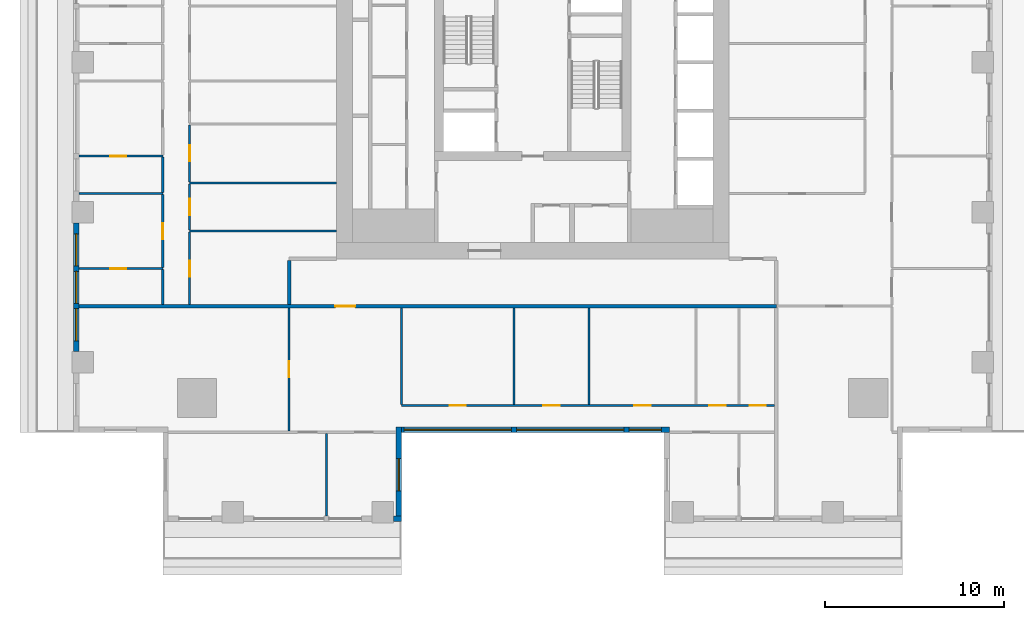
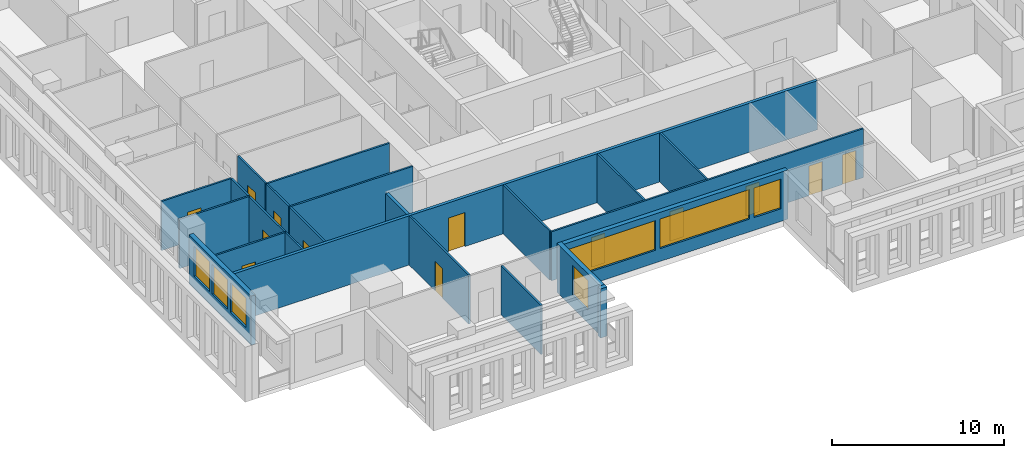
# One storey, part 2 of 15: 23 walls, 13 doors, 7 windows, 20 openings.
"""IFC4 building model written with IfcOpenShell, lengths in metres."""

from ifc_helpers import new_model, si_unit, direction, frame, frame_2d, origin, place, context, subcontext, project, spatial, rectangle, extrude, material, layer, layer_set, type_object, element, fill, save


model = new_model("IFC4")

# Units and contexts
model_context = context("Model", 3, precision=1e-05, world=origin(), true_north=direction((0.0, 1.0)))
body_context = subcontext(model_context, "Body", "Model", "MODEL_VIEW")
ifc_project = project(units=[si_unit("LENGTHUNIT", "METRE"), si_unit("AREAUNIT", "SQUARE_METRE"), si_unit("VOLUMEUNIT", "CUBIC_METRE"), si_unit("PLANEANGLEUNIT", "RADIAN"), si_unit("MASSUNIT", "GRAM", prefix="KILO")], contexts=[model_context])

# Site, building, storey
site_placement = place(None, origin())
site = spatial("IfcSite", under=ifc_project, at=site_placement, CompositionType="ELEMENT")
building_placement = place(site_placement, origin())
building = spatial("IfcBuilding", under=site, at=building_placement, Name="Khepri Terraces", CompositionType="ELEMENT")
storey_placement = place(building_placement, frame((0.0, 0.0, 260.10009765625)))
storey = spatial("IfcBuildingStorey", under=building, at=storey_placement, Name="L62", CompositionType="ELEMENT", Elevation=260.10009765625)

# Wall, opening, door
ifc_material_1 = material(Name="Fire-rated gypsum plasterboard partition, mineral wool")
ifc_layer_1 = layer(ifc_material_1, 0.199951171875, Name="Fire-rated gypsum plasterboard partition, mineral wool")
ifc_layer_set_1 = layer_set([ifc_layer_1], Name="Fire-rated gypsum plasterboard partition, mineral wool")
wall_type_1 = type_object("IfcWallType", Name="WL-CORR-200", PredefinedType="PARTITIONING", material=ifc_layer_set_1)
wall_1_placement = place(storey_placement, frame((-25.419921875, -13.64990234375, 0.0), z_axis=(0.0, 0.0, 1.0), x_axis=(1.0, 0.0, 0.0)))
wall_1 = element("IfcWall", 1, at=wall_1_placement, inside=storey, type_object=wall_type_1, Name="Partition P-015 L62", PredefinedType="PARTITIONING", context=body_context, shape_type="SweptSolid", body=[
    extrude(rectangle(XDim=39.06982421875, YDim=0.199951171875, at=frame_2d((19.534912109375, 0.0))), origin(), (0.0, 0.0, 1.0), 3.47998046875),
])
opening_1_placement = place(wall_1_placement, frame((14.3701171875, 0.0, 0.0)))
opening_1 = element("IfcOpeningElement", 2, at=opening_1_placement, cuts=wall_1, Name="Opening D1", PredefinedType="OPENING", context=body_context, shape_type="SweptSolid", body=[
    extrude(rectangle(XDim=1.10009765625, YDim=2.39990234375, at=frame_2d((0.550048828125, 1.199951171875))), frame((0.0, 0.10986328125, 0.0), z_axis=(0.0, -1.0, 0.0), x_axis=(1.0, 0.0, 0.0)), (0.0, 0.0, 1.0), 0.219970703125),
])
ifc_material_2 = material(Name="Solid-core timber door leaf, flat entrance door", Category="wood")
door_type_1 = type_object("IfcDoorType", Name="DR-ENT-1100", OperationType="NOTDEFINED", PredefinedType="DOOR", material=ifc_material_2)
door_1_placement = place(opening_1_placement, frame((1.10009765625, 0.0, 0.0), z_axis=(0.0, 0.0, 1.0), x_axis=(-1.0, 0.0, 0.0)))
door_1 = element("IfcDoor", 3, at=door_1_placement, inside=storey, type_object=door_type_1, Name="Flat A1 entrance door", OperationType="SINGLE_SWING_RIGHT", OverallHeight=2.39990234375, OverallWidth=1.10009765625, PredefinedType="DOOR", context=body_context, shape_type="SweptSolid", body=[
    extrude(rectangle(XDim=1.10009765625, YDim=2.39990234375, at=frame_2d((0.550048828125, 1.199951171875))), frame((0.0, 0.02490234375, 0.0), z_axis=(0.0, -1.0, 0.0), x_axis=(1.0, 0.0, 0.0)), (0.0, 0.0, 1.0), 0.050048828125),
])
fill(opening_1, door_1)

# Wall
wall_2_placement = place(storey_placement, frame((-13.64990234375, -13.550048828125, 0.0), z_axis=(0.0, 0.0, 1.0), x_axis=(0.0, 1.0, 0.0)))
element("IfcWall", 4, at=wall_2_placement, inside=storey, type_object=wall_type_1, Name="Partition P-020 L62", PredefinedType="PARTITIONING", context=body_context, shape_type="SweptSolid", body=[
    extrude(rectangle(XDim=2.449951171875, YDim=0.199951171875, at=frame_2d((1.22509765625, 0.0))), origin(), (0.0, 0.0, 1.0), 3.47998046875),
])

# Wall, openings, windows
ifc_material_3 = material(Name="Precast concrete C50/60 warm stone", Category="masonry")
ifc_layer_2 = layer(ifc_material_3, 0.300048828125, Name="Precast concrete C50/60 warm stone", Category="masonry")
ifc_layer_set_2 = layer_set([ifc_layer_2], Name="Precast concrete C50/60 warm stone")
wall_type_2 = type_object("IfcWallType", Name="WL-EXT-PRECAST-300", PredefinedType="STANDARD", material=ifc_layer_set_2)
wall_3_placement = place(storey_placement, frame((-25.570068359375, -9.0, 0.0), z_axis=(0.0, 0.0, 1.0), x_axis=(0.0, -1.0, 0.0)))
wall_3 = element("IfcWall", 5, at=wall_3_placement, inside=storey, type_object=wall_type_2, Name="External wall L62 W", PredefinedType="STANDARD", context=body_context, shape_type="SweptSolid", body=[
    extrude(rectangle(XDim=7.199951171875, YDim=0.300048828125, at=frame_2d((3.60009765625, 0.0))), origin(), (0.0, 0.0, 1.0), 3.47998046875),
])
opening_2_placement = place(wall_3_placement, frame((0.60009765625, 0.0, 0.89990234375)))
opening_2 = element("IfcOpeningElement", 6, at=opening_2_placement, cuts=wall_3, Name="Opening W1", PredefinedType="OPENING", context=body_context, shape_type="SweptSolid", body=[
    extrude(rectangle(XDim=1.800048828125, YDim=2.10009765625, at=frame_2d((0.89990234375, 1.050048828125))), frame((0.0, 0.16015625, 0.0), z_axis=(0.0, -1.0, 0.0), x_axis=(1.0, 0.0, 0.0)), (0.0, 0.0, 1.0), 0.320068359375),
])
opening_3_placement = place(wall_3_placement, frame((2.699951171875, 0.0, 0.89990234375)))
opening_3 = element("IfcOpeningElement", 7, at=opening_3_placement, cuts=wall_3, Name="Opening W1", PredefinedType="OPENING", context=body_context, shape_type="SweptSolid", body=[
    extrude(rectangle(XDim=1.800048828125, YDim=2.10009765625, at=frame_2d((0.89990234375, 1.050048828125))), frame((0.0, 0.16015625, 0.0), z_axis=(0.0, -1.0, 0.0), x_axis=(1.0, 0.0, 0.0)), (0.0, 0.0, 1.0), 0.320068359375),
])
opening_4_placement = place(wall_3_placement, frame((4.800048828125, 0.0, 0.89990234375)))
opening_4 = element("IfcOpeningElement", 8, at=opening_4_placement, cuts=wall_3, Name="Opening W1", PredefinedType="OPENING", context=body_context, shape_type="SweptSolid", body=[
    extrude(rectangle(XDim=1.800048828125, YDim=2.10009765625, at=frame_2d((0.89990234375, 1.050048828125))), frame((0.0, 0.16015625, 0.0), z_axis=(0.0, -1.0, 0.0), x_axis=(1.0, 0.0, 0.0)), (0.0, 0.0, 1.0), 0.320068359375),
])
ifc_material_4 = material(Name="Clear glass", Category="glass")
window_type_1 = type_object("IfcWindowType", Name="WIN-RES-1800x2100", PartitioningType="SINGLE_PANEL", PredefinedType="WINDOW", material=ifc_material_4)
window_1_placement = place(opening_2_placement, origin())
window_1 = element("IfcWindow", 9, at=window_1_placement, inside=storey, type_object=window_type_1, Name="Window L62 W", OverallHeight=2.10009765625, OverallWidth=1.800048828125, PartitioningType="SINGLE_PANEL", PredefinedType="WINDOW", context=body_context, shape_type="SweptSolid", body=[
    extrude(rectangle(XDim=1.800048828125, YDim=2.10009765625, at=frame_2d((0.89990234375, 1.050048828125))), frame((0.0, 0.030029296875, 0.0), z_axis=(0.0, -1.0, 0.0), x_axis=(1.0, 0.0, 0.0)), (0.0, 0.0, 1.0), 0.06005859375),
])
fill(opening_2, window_1)
window_2_placement = place(opening_3_placement, origin())
window_2 = element("IfcWindow", 10, at=window_2_placement, inside=storey, type_object=window_type_1, Name="Window L62 W", OverallHeight=2.10009765625, OverallWidth=1.800048828125, PartitioningType="SINGLE_PANEL", PredefinedType="WINDOW", context=body_context, shape_type="SweptSolid", body=[
    extrude(rectangle(XDim=1.800048828125, YDim=2.10009765625, at=frame_2d((0.89990234375, 1.050048828125))), frame((0.0, 0.030029296875, 0.0), z_axis=(0.0, -1.0, 0.0), x_axis=(1.0, 0.0, 0.0)), (0.0, 0.0, 1.0), 0.06005859375),
])
fill(opening_3, window_2)
window_3_placement = place(opening_4_placement, origin())
window_3 = element("IfcWindow", 11, at=window_3_placement, inside=storey, type_object=window_type_1, Name="Window L62 W", OverallHeight=2.10009765625, OverallWidth=1.800048828125, PartitioningType="SINGLE_PANEL", PredefinedType="WINDOW", context=body_context, shape_type="SweptSolid", body=[
    extrude(rectangle(XDim=1.800048828125, YDim=2.10009765625, at=frame_2d((0.89990234375, 1.050048828125))), frame((0.0, 0.030029296875, 0.0), z_axis=(0.0, -1.0, 0.0), x_axis=(1.0, 0.0, 0.0)), (0.0, 0.0, 1.0), 0.06005859375),
])
fill(opening_4, window_3)

# Wall
wall_4_placement = place(storey_placement, frame((-7.800048828125, -25.570068359375, 0.0), z_axis=(0.0, 0.0, 1.0), x_axis=(1.0, 0.0, 0.0)))
element("IfcWall", 12, at=wall_4_placement, inside=storey, type_object=wall_type_2, Name="External wall L62 S", PredefinedType="STANDARD", context=body_context, shape_type="SweptSolid", body=[
    extrude(rectangle(XDim=0.449951171875, YDim=0.300048828125, at=frame_2d((0.22509765625, 0.0))), origin(), (0.0, 0.0, 1.0), 3.47998046875),
])

# Wall, opening, window
wall_5_placement = place(storey_placement, frame((-7.5, -25.419921875, 0.0), z_axis=(0.0, 0.0, 1.0), x_axis=(0.0, 1.0, 0.0)))
wall_5 = element("IfcWall", 13, at=wall_5_placement, inside=storey, type_object=wall_type_2, Name="External wall L62 E", PredefinedType="STANDARD", context=body_context, shape_type="SweptSolid", body=[
    extrude(rectangle(XDim=5.0, YDim=0.300048828125, at=frame_2d((2.5, 0.0))), origin(), (0.0, 0.0, 1.0), 3.47998046875),
])
opening_5_placement = place(wall_5_placement, frame((1.419921875, 0.0, 0.89990234375)))
opening_5 = element("IfcOpeningElement", 14, at=opening_5_placement, cuts=wall_5, Name="Opening W1", PredefinedType="OPENING", context=body_context, shape_type="SweptSolid", body=[
    extrude(rectangle(XDim=1.800048828125, YDim=2.10009765625, at=frame_2d((0.89990234375, 1.050048828125))), frame((0.0, 0.16015625, 0.0), z_axis=(0.0, -1.0, 0.0), x_axis=(1.0, 0.0, 0.0)), (0.0, 0.0, 1.0), 0.320068359375),
])
window_4_placement = place(opening_5_placement, origin())
window_4 = element("IfcWindow", 15, at=window_4_placement, inside=storey, type_object=window_type_1, Name="Window L62 E", OverallHeight=2.10009765625, OverallWidth=1.800048828125, PartitioningType="SINGLE_PANEL", PredefinedType="WINDOW", context=body_context, shape_type="SweptSolid", body=[
    extrude(rectangle(XDim=1.800048828125, YDim=2.10009765625, at=frame_2d((0.89990234375, 1.050048828125))), frame((0.0, 0.030029296875, 0.0), z_axis=(0.0, -1.0, 0.0), x_axis=(1.0, 0.0, 0.0)), (0.0, 0.0, 1.0), 0.06005859375),
])
fill(opening_5, window_4)

# Wall, openings, windows
wall_6_placement = place(storey_placement, frame((-7.35009765625, -20.570068359375, 0.0), z_axis=(0.0, 0.0, 1.0), x_axis=(1.0, 0.0, 0.0)))
wall_6 = element("IfcWall", 16, at=wall_6_placement, inside=storey, type_object=wall_type_2, Name="External wall L62 S", PredefinedType="STANDARD", context=body_context, shape_type="SweptSolid", body=[
    extrude(rectangle(XDim=15.0, YDim=0.300048828125, at=frame_2d((7.5, 0.0))), origin(), (0.0, 0.0, 1.0), 3.47998046875),
])
opening_6_placement = place(wall_6_placement, frame((0.14990234375, 0.0, 0.89990234375)))
opening_6 = element("IfcOpeningElement", 17, at=opening_6_placement, cuts=wall_6, Name="Opening W3", PredefinedType="OPENING", context=body_context, shape_type="SweptSolid", body=[
    extrude(rectangle(XDim=6.0, YDim=2.10009765625, at=frame_2d((3.0, 1.050048828125))), frame((0.0, 0.16015625, 0.0), z_axis=(0.0, -1.0, 0.0), x_axis=(1.0, 0.0, 0.0)), (0.0, 0.0, 1.0), 0.320068359375),
])
opening_7_placement = place(wall_6_placement, frame((6.449951171875, 0.0, 0.89990234375)))
opening_7 = element("IfcOpeningElement", 18, at=opening_7_placement, cuts=wall_6, Name="Opening W3", PredefinedType="OPENING", context=body_context, shape_type="SweptSolid", body=[
    extrude(rectangle(XDim=6.0, YDim=2.10009765625, at=frame_2d((3.0, 1.050048828125))), frame((0.0, 0.16015625, 0.0), z_axis=(0.0, -1.0, 0.0), x_axis=(1.0, 0.0, 0.0)), (0.0, 0.0, 1.0), 0.320068359375),
])
opening_8_placement = place(wall_6_placement, frame((12.75, 0.0, 0.89990234375)))
opening_8 = element("IfcOpeningElement", 19, at=opening_8_placement, cuts=wall_6, Name="Opening W1", PredefinedType="OPENING", context=body_context, shape_type="SweptSolid", body=[
    extrude(rectangle(XDim=1.800048828125, YDim=2.10009765625, at=frame_2d((0.89990234375, 1.050048828125))), frame((0.0, 0.16015625, 0.0), z_axis=(0.0, -1.0, 0.0), x_axis=(1.0, 0.0, 0.0)), (0.0, 0.0, 1.0), 0.320068359375),
])
window_5_placement = place(opening_8_placement, origin())
window_5 = element("IfcWindow", 20, at=window_5_placement, inside=storey, type_object=window_type_1, Name="Window L62 S", OverallHeight=2.10009765625, OverallWidth=1.800048828125, PartitioningType="SINGLE_PANEL", PredefinedType="WINDOW", context=body_context, shape_type="SweptSolid", body=[
    extrude(rectangle(XDim=1.800048828125, YDim=2.10009765625, at=frame_2d((0.89990234375, 1.050048828125))), frame((0.0, 0.030029296875, 0.0), z_axis=(0.0, -1.0, 0.0), x_axis=(1.0, 0.0, 0.0)), (0.0, 0.0, 1.0), 0.06005859375),
])
fill(opening_8, window_5)
window_type_2 = type_object("IfcWindowType", Name="WIN-RES-6000x2100", PartitioningType="SINGLE_PANEL", PredefinedType="WINDOW", material=ifc_material_4)
window_6_placement = place(opening_6_placement, origin())
window_6 = element("IfcWindow", 21, at=window_6_placement, inside=storey, type_object=window_type_2, Name="Window L62 S", OverallHeight=2.10009765625, OverallWidth=6.0, PartitioningType="SINGLE_PANEL", PredefinedType="WINDOW", context=body_context, shape_type="SweptSolid", body=[
    extrude(rectangle(XDim=6.0, YDim=2.10009765625, at=frame_2d((3.0, 1.050048828125))), frame((0.0, 0.030029296875, 0.0), z_axis=(0.0, -1.0, 0.0), x_axis=(1.0, 0.0, 0.0)), (0.0, 0.0, 1.0), 0.06005859375),
])
fill(opening_6, window_6)
window_7_placement = place(opening_7_placement, origin())
window_7 = element("IfcWindow", 22, at=window_7_placement, inside=storey, type_object=window_type_2, Name="Window L62 S", OverallHeight=2.10009765625, OverallWidth=6.0, PartitioningType="SINGLE_PANEL", PredefinedType="WINDOW", context=body_context, shape_type="SweptSolid", body=[
    extrude(rectangle(XDim=6.0, YDim=2.10009765625, at=frame_2d((3.0, 1.050048828125))), frame((0.0, 0.030029296875, 0.0), z_axis=(0.0, -1.0, 0.0), x_axis=(1.0, 0.0, 0.0)), (0.0, 0.0, 1.0), 0.06005859375),
])
fill(opening_7, window_7)

# Wall
ifc_material_5 = material(Name="Gypsum plasterboard partition")
ifc_layer_3 = layer(ifc_material_5, 0.1201171875, Name="Gypsum plasterboard partition")
ifc_layer_set_3 = layer_set([ifc_layer_3], Name="Gypsum plasterboard partition")
wall_type_3 = type_object("IfcWallType", Name="WL-PART-120", PredefinedType="PARTITIONING", material=ifc_layer_set_3)
wall_7_placement = place(storey_placement, frame((-11.550048828125, -25.419921875, 0.0), z_axis=(0.0, 0.0, 1.0), x_axis=(0.0, 1.0, 0.0)))
element("IfcWall", 23, at=wall_7_placement, inside=storey, type_object=wall_type_3, Name="Partition P-001 L62", PredefinedType="PARTITIONING", context=body_context, shape_type="SweptSolid", body=[
    extrude(rectangle(XDim=4.639892578125, YDim=0.1201171875, at=frame_2d((2.31982421875, 0.0))), origin(), (0.0, 0.0, 1.0), 3.47998046875),
])

# Wall, opening, door
wall_8_placement = place(storey_placement, frame((-13.64990234375, -20.659912109375, 0.0), z_axis=(0.0, 0.0, 1.0), x_axis=(0.0, 1.0, 0.0)))
wall_8 = element("IfcWall", 24, at=wall_8_placement, inside=storey, type_object=wall_type_3, Name="Partition P-007 L62", PredefinedType="PARTITIONING", context=body_context, shape_type="SweptSolid", body=[
    extrude(rectangle(XDim=6.909912109375, YDim=0.1201171875, at=frame_2d((3.455078125, 0.0))), origin(), (0.0, 0.0, 1.0), 3.47998046875),
])
opening_9_placement = place(wall_8_placement, frame((3.02490234375, 0.0, 0.0)))
opening_9 = element("IfcOpeningElement", 25, at=opening_9_placement, cuts=wall_8, Name="Opening D3", PredefinedType="OPENING", context=body_context, shape_type="SweptSolid", body=[
    extrude(rectangle(XDim=0.89990234375, YDim=2.10009765625, at=frame_2d((0.449951171875, 1.050048828125))), frame((0.0, 0.070068359375, 0.0), z_axis=(0.0, -1.0, 0.0), x_axis=(1.0, 0.0, 0.0)), (0.0, 0.0, 1.0), 0.14013671875),
])
ifc_material_6 = material(Name="Timber door leaf", Category="wood")
door_type_2 = type_object("IfcDoorType", Name="DR-INT-900", OperationType="NOTDEFINED", PredefinedType="DOOR", material=ifc_material_6)
door_2_placement = place(opening_9_placement, origin())
door_2 = element("IfcDoor", 26, at=door_2_placement, inside=storey, type_object=door_type_2, Name="Door Home Gym", OperationType="SINGLE_SWING_RIGHT", OverallHeight=2.10009765625, OverallWidth=0.89990234375, PredefinedType="DOOR", context=body_context, shape_type="SweptSolid", body=[
    extrude(rectangle(XDim=0.89990234375, YDim=2.10009765625, at=frame_2d((0.449951171875, 1.050048828125))), frame((0.0, 0.02490234375, 0.0), z_axis=(0.0, -1.0, 0.0), x_axis=(1.0, 0.0, 0.0)), (0.0, 0.0, 1.0), 0.050048828125),
])
fill(opening_9, door_2)

# Wall, openings, doors
wall_9_placement = place(storey_placement, frame((-7.35009765625, -19.219970703125, 0.0), z_axis=(0.0, 0.0, 1.0), x_axis=(1.0, 0.0, 0.0)))
wall_9 = element("IfcWall", 27, at=wall_9_placement, inside=storey, type_object=wall_type_3, Name="Partition P-009 L62", PredefinedType="PARTITIONING", context=body_context, shape_type="SweptSolid", body=[
    extrude(rectangle(XDim=20.900146484375, YDim=0.1201171875, at=frame_2d((10.4501953125, 0.0))), origin(), (0.0, 0.0, 1.0), 3.47998046875),
])
opening_10_placement = place(wall_9_placement, frame((2.699951171875, 0.0, 0.0)))
opening_10 = element("IfcOpeningElement", 28, at=opening_10_placement, cuts=wall_9, Name="Opening D3", PredefinedType="OPENING", context=body_context, shape_type="SweptSolid", body=[
    extrude(rectangle(XDim=0.89990234375, YDim=2.10009765625, at=frame_2d((0.449951171875, 1.050048828125))), frame((0.0, 0.070068359375, 0.0), z_axis=(0.0, -1.0, 0.0), x_axis=(1.0, 0.0, 0.0)), (0.0, 0.0, 1.0), 0.14013671875),
])
opening_11_placement = place(wall_9_placement, frame((7.949951171875, 0.0, 0.0)))
opening_11 = element("IfcOpeningElement", 29, at=opening_11_placement, cuts=wall_9, Name="Opening D3", PredefinedType="OPENING", context=body_context, shape_type="SweptSolid", body=[
    extrude(rectangle(XDim=0.89990234375, YDim=2.10009765625, at=frame_2d((0.449951171875, 1.050048828125))), frame((0.0, 0.070068359375, 0.0), z_axis=(0.0, -1.0, 0.0), x_axis=(1.0, 0.0, 0.0)), (0.0, 0.0, 1.0), 0.14013671875),
])
opening_12_placement = place(wall_9_placement, frame((13.050048828125, 0.0, 0.0)))
opening_12 = element("IfcOpeningElement", 30, at=opening_12_placement, cuts=wall_9, Name="Opening D3", PredefinedType="OPENING", context=body_context, shape_type="SweptSolid", body=[
    extrude(rectangle(XDim=0.89990234375, YDim=2.10009765625, at=frame_2d((0.449951171875, 1.050048828125))), frame((0.0, 0.070068359375, 0.0), z_axis=(0.0, -1.0, 0.0), x_axis=(1.0, 0.0, 0.0)), (0.0, 0.0, 1.0), 0.14013671875),
])
opening_13_placement = place(wall_9_placement, frame((17.25, 0.0, 0.0)))
opening_13 = element("IfcOpeningElement", 31, at=opening_13_placement, cuts=wall_9, Name="Opening D4", PredefinedType="OPENING", context=body_context, shape_type="SweptSolid", body=[
    extrude(rectangle(XDim=0.89990234375, YDim=2.10009765625, at=frame_2d((0.449951171875, 1.050048828125))), frame((0.0, 0.070068359375, 0.0), z_axis=(0.0, -1.0, 0.0), x_axis=(1.0, 0.0, 0.0)), (0.0, 0.0, 1.0), 0.14013671875),
])
opening_14_placement = place(wall_9_placement, frame((19.5, 0.0, 0.0)))
opening_14 = element("IfcOpeningElement", 32, at=opening_14_placement, cuts=wall_9, Name="Opening D4", PredefinedType="OPENING", context=body_context, shape_type="SweptSolid", body=[
    extrude(rectangle(XDim=0.89990234375, YDim=2.10009765625, at=frame_2d((0.449951171875, 1.050048828125))), frame((0.0, 0.070068359375, 0.0), z_axis=(0.0, -1.0, 0.0), x_axis=(1.0, 0.0, 0.0)), (0.0, 0.0, 1.0), 0.14013671875),
])
door_3_placement = place(opening_10_placement, origin())
door_3 = element("IfcDoor", 33, at=door_3_placement, inside=storey, type_object=door_type_2, Name="Door Kitchen", OperationType="SINGLE_SWING_LEFT", OverallHeight=2.10009765625, OverallWidth=0.89990234375, PredefinedType="DOOR", context=body_context, shape_type="SweptSolid", body=[
    extrude(rectangle(XDim=0.89990234375, YDim=2.10009765625, at=frame_2d((0.449951171875, 1.050048828125))), frame((0.0, 0.02490234375, 0.0), z_axis=(0.0, -1.0, 0.0), x_axis=(1.0, 0.0, 0.0)), (0.0, 0.0, 1.0), 0.050048828125),
])
fill(opening_10, door_3)
door_4_placement = place(opening_11_placement, origin())
door_4 = element("IfcDoor", 34, at=door_4_placement, inside=storey, type_object=door_type_2, Name="Door Service Kitchen", OperationType="SINGLE_SWING_LEFT", OverallHeight=2.10009765625, OverallWidth=0.89990234375, PredefinedType="DOOR", context=body_context, shape_type="SweptSolid", body=[
    extrude(rectangle(XDim=0.89990234375, YDim=2.10009765625, at=frame_2d((0.449951171875, 1.050048828125))), frame((0.0, 0.02490234375, 0.0), z_axis=(0.0, -1.0, 0.0), x_axis=(1.0, 0.0, 0.0)), (0.0, 0.0, 1.0), 0.050048828125),
])
fill(opening_11, door_4)
door_5_placement = place(opening_12_placement, origin())
door_5 = element("IfcDoor", 35, at=door_5_placement, inside=storey, type_object=door_type_2, Name="Door Staff Bedroom", OperationType="SINGLE_SWING_RIGHT", OverallHeight=2.10009765625, OverallWidth=0.89990234375, PredefinedType="DOOR", context=body_context, shape_type="SweptSolid", body=[
    extrude(rectangle(XDim=0.89990234375, YDim=2.10009765625, at=frame_2d((0.449951171875, 1.050048828125))), frame((0.0, 0.02490234375, 0.0), z_axis=(0.0, -1.0, 0.0), x_axis=(1.0, 0.0, 0.0)), (0.0, 0.0, 1.0), 0.050048828125),
])
fill(opening_12, door_5)
ifc_material_7 = material(Name="Timber door leaf, moisture resistant", Category="wood")
door_type_3 = type_object("IfcDoorType", Name="DR-WET-900", OperationType="NOTDEFINED", PredefinedType="DOOR", material=ifc_material_7)
door_6_placement = place(opening_13_placement, origin())
door_6 = element("IfcDoor", 36, at=door_6_placement, inside=storey, type_object=door_type_3, Name="Door Powder Room", OperationType="SINGLE_SWING_RIGHT", OverallHeight=2.10009765625, OverallWidth=0.89990234375, PredefinedType="DOOR", context=body_context, shape_type="SweptSolid", body=[
    extrude(rectangle(XDim=0.89990234375, YDim=2.10009765625, at=frame_2d((0.449951171875, 1.050048828125))), frame((0.0, 0.02490234375, 0.0), z_axis=(0.0, -1.0, 0.0), x_axis=(1.0, 0.0, 0.0)), (0.0, 0.0, 1.0), 0.050048828125),
])
fill(opening_13, door_6)
door_7_placement = place(opening_14_placement, origin())
door_7 = element("IfcDoor", 37, at=door_7_placement, inside=storey, type_object=door_type_3, Name="Door Guest Bathroom", OperationType="SINGLE_SWING_RIGHT", OverallHeight=2.10009765625, OverallWidth=0.89990234375, PredefinedType="DOOR", context=body_context, shape_type="SweptSolid", body=[
    extrude(rectangle(XDim=0.89990234375, YDim=2.10009765625, at=frame_2d((0.449951171875, 1.050048828125))), frame((0.0, 0.02490234375, 0.0), z_axis=(0.0, -1.0, 0.0), x_axis=(1.0, 0.0, 0.0)), (0.0, 0.0, 1.0), 0.050048828125),
])
fill(opening_14, door_7)

# Walls
for number, where, z_axis, x_axis, name in (
    (38, (-7.35009765625, -19.159912109375, 0.0), (0.0, 0.0, 1.0), (0.0, 1.0, 0.0), "Partition P-010 L62"),
    (39, (-1.050048828125, -19.159912109375, 0.0), (0.0, 0.0, 1.0), (0.0, 1.0, 0.0), "Partition P-011 L62"),
    (40, (3.14990234375, -19.159912109375, 0.0), (0.0, 0.0, 1.0), (0.0, 1.0, 0.0), "Partition P-012 L62"),
):
    element("IfcWall", number, at=place(storey_placement, frame(where, z_axis=z_axis, x_axis=x_axis)), inside=storey, type_object=wall_type_3, Name=name, PredefinedType="PARTITIONING", context=body_context, shape_type="SweptSolid", body=[
        extrude(rectangle(XDim=5.409912109375, YDim=0.1201171875, at=frame_2d((2.705078125, 0.0))), origin(), (0.0, 0.0, 1.0), 3.47998046875),
    ])
wall_10_placement = place(storey_placement, frame((-20.719970703125, -13.550048828125, 0.0), z_axis=(0.0, 0.0, 1.0), x_axis=(0.0, 1.0, 0.0)))
element("IfcWall", 41, at=wall_10_placement, inside=storey, type_object=wall_type_3, Name="Partition P-018 L62", PredefinedType="PARTITIONING", context=body_context, shape_type="SweptSolid", body=[
    extrude(rectangle(XDim=1.93994140625, YDim=0.1201171875, at=frame_2d((0.969970703125, 0.0))), origin(), (0.0, 0.0, 1.0), 3.47998046875),
])

# Wall, opening, door
wall_11_placement = place(storey_placement, frame((-19.219970703125, -13.550048828125, 0.0), z_axis=(0.0, 0.0, 1.0), x_axis=(0.0, 1.0, 0.0)))
wall_11 = element("IfcWall", 42, at=wall_11_placement, inside=storey, type_object=wall_type_3, Name="Partition P-019 L62", PredefinedType="PARTITIONING", context=body_context, shape_type="SweptSolid", body=[
    extrude(rectangle(XDim=4.0400390625, YDim=0.1201171875, at=frame_2d((2.02001953125, 0.0))), origin(), (0.0, 0.0, 1.0), 3.47998046875),
])
opening_15_placement = place(wall_11_placement, frame((1.550048828125, 0.0, 0.0)))
opening_15 = element("IfcOpeningElement", 43, at=opening_15_placement, cuts=wall_11, Name="Opening D3", PredefinedType="OPENING", context=body_context, shape_type="SweptSolid", body=[
    extrude(rectangle(XDim=0.89990234375, YDim=2.10009765625, at=frame_2d((0.449951171875, 1.050048828125))), frame((0.0, 0.070068359375, 0.0), z_axis=(0.0, -1.0, 0.0), x_axis=(1.0, 0.0, 0.0)), (0.0, 0.0, 1.0), 0.14013671875),
])
door_8_placement = place(opening_15_placement, frame((0.89990234375, 0.0, 0.0), z_axis=(0.0, 0.0, 1.0), x_axis=(-1.0, 0.0, 0.0)))
door_8 = element("IfcDoor", 44, at=door_8_placement, inside=storey, type_object=door_type_2, Name="Door Library", OperationType="SINGLE_SWING_RIGHT", OverallHeight=2.10009765625, OverallWidth=0.89990234375, PredefinedType="DOOR", context=body_context, shape_type="SweptSolid", body=[
    extrude(rectangle(XDim=0.89990234375, YDim=2.10009765625, at=frame_2d((0.449951171875, 1.050048828125))), frame((0.0, 0.02490234375, 0.0), z_axis=(0.0, -1.0, 0.0), x_axis=(1.0, 0.0, 0.0)), (0.0, 0.0, 1.0), 0.050048828125),
])
fill(opening_15, door_8)

wall_12_placement = place(storey_placement, frame((-25.419921875, -11.550048828125, 0.0), z_axis=(0.0, 0.0, 1.0), x_axis=(1.0, 0.0, 0.0)))
wall_12 = element("IfcWall", 45, at=wall_12_placement, inside=storey, type_object=wall_type_3, Name="Partition P-022 L62", PredefinedType="PARTITIONING", context=body_context, shape_type="SweptSolid", body=[
    extrude(rectangle(XDim=4.699951171875, YDim=0.1201171875, at=frame_2d((2.35009765625, 0.0))), origin(), (0.0, 0.0, 1.0), 3.47998046875),
])
opening_16_placement = place(wall_12_placement, frame((1.75, 0.0, 0.0)))
opening_16 = element("IfcOpeningElement", 46, at=opening_16_placement, cuts=wall_12, Name="Opening D4", PredefinedType="OPENING", context=body_context, shape_type="SweptSolid", body=[
    extrude(rectangle(XDim=0.89990234375, YDim=2.10009765625, at=frame_2d((0.449951171875, 1.050048828125))), frame((0.0, 0.070068359375, 0.0), z_axis=(0.0, -1.0, 0.0), x_axis=(1.0, 0.0, 0.0)), (0.0, 0.0, 1.0), 0.14013671875),
])
door_9_placement = place(opening_16_placement, frame((0.89990234375, 0.0, 0.0), z_axis=(0.0, 0.0, 1.0), x_axis=(-1.0, 0.0, 0.0)))
door_9 = element("IfcDoor", 47, at=door_9_placement, inside=storey, type_object=door_type_3, Name="Door Bathroom", OperationType="SINGLE_SWING_RIGHT", OverallHeight=2.10009765625, OverallWidth=0.89990234375, PredefinedType="DOOR", context=body_context, shape_type="SweptSolid", body=[
    extrude(rectangle(XDim=0.89990234375, YDim=2.10009765625, at=frame_2d((0.449951171875, 1.050048828125))), frame((0.0, 0.02490234375, 0.0), z_axis=(0.0, -1.0, 0.0), x_axis=(1.0, 0.0, 0.0)), (0.0, 0.0, 1.0), 0.050048828125),
])
fill(opening_16, door_9)

wall_13_placement = place(storey_placement, frame((-20.719970703125, -11.489990234375, 0.0), z_axis=(0.0, 0.0, 1.0), x_axis=(0.0, 1.0, 0.0)))
wall_13 = element("IfcWall", 48, at=wall_13_placement, inside=storey, type_object=wall_type_3, Name="Partition P-024 L62", PredefinedType="PARTITIONING", context=body_context, shape_type="SweptSolid", body=[
    extrude(rectangle(XDim=4.080078125, YDim=0.1201171875, at=frame_2d((2.0400390625, 0.0))), origin(), (0.0, 0.0, 1.0), 3.47998046875),
])
opening_17_placement = place(wall_13_placement, frame((1.590087890625, 0.0, 0.0)))
opening_17 = element("IfcOpeningElement", 49, at=opening_17_placement, cuts=wall_13, Name="Opening D3", PredefinedType="OPENING", context=body_context, shape_type="SweptSolid", body=[
    extrude(rectangle(XDim=0.89990234375, YDim=2.10009765625, at=frame_2d((0.449951171875, 1.050048828125))), frame((0.0, 0.070068359375, 0.0), z_axis=(0.0, -1.0, 0.0), x_axis=(1.0, 0.0, 0.0)), (0.0, 0.0, 1.0), 0.14013671875),
])
door_10_placement = place(opening_17_placement, origin())
door_10 = element("IfcDoor", 50, at=door_10_placement, inside=storey, type_object=door_type_2, Name="Door Bedroom", OperationType="SINGLE_SWING_RIGHT", OverallHeight=2.10009765625, OverallWidth=0.89990234375, PredefinedType="DOOR", context=body_context, shape_type="SweptSolid", body=[
    extrude(rectangle(XDim=0.89990234375, YDim=2.10009765625, at=frame_2d((0.449951171875, 1.050048828125))), frame((0.0, 0.02490234375, 0.0), z_axis=(0.0, -1.0, 0.0), x_axis=(1.0, 0.0, 0.0)), (0.0, 0.0, 1.0), 0.050048828125),
])
fill(opening_17, door_10)

# Wall
wall_14_placement = place(storey_placement, frame((-19.219970703125, -9.449951171875, 0.0), z_axis=(0.0, 0.0, 1.0), x_axis=(1.0, 0.0, 0.0)))
element("IfcWall", 51, at=wall_14_placement, inside=storey, type_object=wall_type_3, Name="Partition P-028 L62", PredefinedType="PARTITIONING", context=body_context, shape_type="SweptSolid", body=[
    extrude(rectangle(XDim=8.219970703125, YDim=0.1201171875, at=frame_2d((4.10986328125, 0.0))), origin(), (0.0, 0.0, 1.0), 3.47998046875),
])

# Wall, opening, door
wall_15_placement = place(storey_placement, frame((-19.219970703125, -9.389892578125, 0.0), z_axis=(0.0, 0.0, 1.0), x_axis=(0.0, 1.0, 0.0)))
wall_15 = element("IfcWall", 52, at=wall_15_placement, inside=storey, type_object=wall_type_3, Name="Partition P-029 L62", PredefinedType="PARTITIONING", context=body_context, shape_type="SweptSolid", body=[
    extrude(rectangle(XDim=2.579833984375, YDim=0.1201171875, at=frame_2d((1.2900390625, 0.0))), origin(), (0.0, 0.0, 1.0), 3.47998046875),
])
opening_18_placement = place(wall_15_placement, frame((0.840087890625, 0.0, 0.0)))
opening_18 = element("IfcOpeningElement", 53, at=opening_18_placement, cuts=wall_15, Name="Opening D4", PredefinedType="OPENING", context=body_context, shape_type="SweptSolid", body=[
    extrude(rectangle(XDim=0.89990234375, YDim=2.10009765625, at=frame_2d((0.449951171875, 1.050048828125))), frame((0.0, 0.070068359375, 0.0), z_axis=(0.0, -1.0, 0.0), x_axis=(1.0, 0.0, 0.0)), (0.0, 0.0, 1.0), 0.14013671875),
])
door_11_placement = place(opening_18_placement, frame((0.89990234375, 0.0, 0.0), z_axis=(0.0, 0.0, 1.0), x_axis=(-1.0, 0.0, 0.0)))
door_11 = element("IfcDoor", 54, at=door_11_placement, inside=storey, type_object=door_type_3, Name="Door Guest Bathroom", OperationType="SINGLE_SWING_LEFT", OverallHeight=2.10009765625, OverallWidth=0.89990234375, PredefinedType="DOOR", context=body_context, shape_type="SweptSolid", body=[
    extrude(rectangle(XDim=0.89990234375, YDim=2.10009765625, at=frame_2d((0.449951171875, 1.050048828125))), frame((0.0, 0.02490234375, 0.0), z_axis=(0.0, -1.0, 0.0), x_axis=(1.0, 0.0, 0.0)), (0.0, 0.0, 1.0), 0.050048828125),
])
fill(opening_18, door_11)

# Walls
wall_16_placement = place(storey_placement, frame((-25.419921875, -7.35009765625, 0.0), z_axis=(0.0, 0.0, 1.0), x_axis=(1.0, 0.0, 0.0)))
element("IfcWall", 55, at=wall_16_placement, inside=storey, type_object=wall_type_3, Name="Partition P-030 L62", PredefinedType="PARTITIONING", context=body_context, shape_type="SweptSolid", body=[
    extrude(rectangle(XDim=4.699951171875, YDim=0.1201171875, at=frame_2d((2.35009765625, 0.0))), origin(), (0.0, 0.0, 1.0), 3.47998046875),
])
wall_17_placement = place(storey_placement, frame((-20.719970703125, -7.2900390625, 0.0), z_axis=(0.0, 0.0, 1.0), x_axis=(0.0, 1.0, 0.0)))
element("IfcWall", 56, at=wall_17_placement, inside=storey, type_object=wall_type_3, Name="Partition P-032 L62", PredefinedType="PARTITIONING", context=body_context, shape_type="SweptSolid", body=[
    extrude(rectangle(XDim=1.97998046875, YDim=0.1201171875, at=frame_2d((0.989990234375, 0.0))), origin(), (0.0, 0.0, 1.0), 3.47998046875),
])
wall_18_placement = place(storey_placement, frame((-19.219970703125, -6.75, 0.0), z_axis=(0.0, 0.0, 1.0), x_axis=(1.0, 0.0, 0.0)))
element("IfcWall", 57, at=wall_18_placement, inside=storey, type_object=wall_type_3, Name="Partition P-034 L62", PredefinedType="PARTITIONING", context=body_context, shape_type="SweptSolid", body=[
    extrude(rectangle(XDim=8.219970703125, YDim=0.1201171875, at=frame_2d((4.10986328125, 0.0))), origin(), (0.0, 0.0, 1.0), 3.47998046875),
])

# Wall, opening, door
wall_19_placement = place(storey_placement, frame((-19.219970703125, -6.68994140625, 0.0), z_axis=(0.0, 0.0, 1.0), x_axis=(0.0, 1.0, 0.0)))
wall_19 = element("IfcWall", 58, at=wall_19_placement, inside=storey, type_object=wall_type_3, Name="Partition P-035 L62", PredefinedType="PARTITIONING", context=body_context, shape_type="SweptSolid", body=[
    extrude(rectangle(XDim=3.179931640625, YDim=0.1201171875, at=frame_2d((1.58984375, 0.0))), origin(), (0.0, 0.0, 1.0), 3.47998046875),
])
opening_19_placement = place(wall_19_placement, frame((1.139892578125, 0.0, 0.0)))
opening_19 = element("IfcOpeningElement", 59, at=opening_19_placement, cuts=wall_19, Name="Opening D3", PredefinedType="OPENING", context=body_context, shape_type="SweptSolid", body=[
    extrude(rectangle(XDim=0.89990234375, YDim=2.10009765625, at=frame_2d((0.449951171875, 1.050048828125))), frame((0.0, 0.070068359375, 0.0), z_axis=(0.0, -1.0, 0.0), x_axis=(1.0, 0.0, 0.0)), (0.0, 0.0, 1.0), 0.14013671875),
])
door_12_placement = place(opening_19_placement, frame((0.89990234375, 0.0, 0.0), z_axis=(0.0, 0.0, 1.0), x_axis=(-1.0, 0.0, 0.0)))
door_12 = element("IfcDoor", 60, at=door_12_placement, inside=storey, type_object=door_type_2, Name="Door Utility Room", OperationType="SINGLE_SWING_LEFT", OverallHeight=2.10009765625, OverallWidth=0.89990234375, PredefinedType="DOOR", context=body_context, shape_type="SweptSolid", body=[
    extrude(rectangle(XDim=0.89990234375, YDim=2.10009765625, at=frame_2d((0.449951171875, 1.050048828125))), frame((0.0, 0.02490234375, 0.0), z_axis=(0.0, -1.0, 0.0), x_axis=(1.0, 0.0, 0.0)), (0.0, 0.0, 1.0), 0.050048828125),
])
fill(opening_19, door_12)

wall_20_placement = place(storey_placement, frame((-25.419921875, -5.25, 0.0), z_axis=(0.0, 0.0, 1.0), x_axis=(1.0, 0.0, 0.0)))
wall_20 = element("IfcWall", 61, at=wall_20_placement, inside=storey, type_object=wall_type_3, Name="Partition P-036 L62", PredefinedType="PARTITIONING", context=body_context, shape_type="SweptSolid", body=[
    extrude(rectangle(XDim=4.699951171875, YDim=0.1201171875, at=frame_2d((2.35009765625, 0.0))), origin(), (0.0, 0.0, 1.0), 3.47998046875),
])
opening_20_placement = place(wall_20_placement, frame((1.75, 0.0, 0.0)))
opening_20 = element("IfcOpeningElement", 62, at=opening_20_placement, cuts=wall_20, Name="Opening D4", PredefinedType="OPENING", context=body_context, shape_type="SweptSolid", body=[
    extrude(rectangle(XDim=0.89990234375, YDim=2.10009765625, at=frame_2d((0.449951171875, 1.050048828125))), frame((0.0, 0.070068359375, 0.0), z_axis=(0.0, -1.0, 0.0), x_axis=(1.0, 0.0, 0.0)), (0.0, 0.0, 1.0), 0.14013671875),
])
door_13_placement = place(opening_20_placement, frame((0.89990234375, 0.0, 0.0), z_axis=(0.0, 0.0, 1.0), x_axis=(-1.0, 0.0, 0.0)))
door_13 = element("IfcDoor", 63, at=door_13_placement, inside=storey, type_object=door_type_3, Name="Door Bathroom", OperationType="SINGLE_SWING_RIGHT", OverallHeight=2.10009765625, OverallWidth=0.89990234375, PredefinedType="DOOR", context=body_context, shape_type="SweptSolid", body=[
    extrude(rectangle(XDim=0.89990234375, YDim=2.10009765625, at=frame_2d((0.449951171875, 1.050048828125))), frame((0.0, 0.02490234375, 0.0), z_axis=(0.0, -1.0, 0.0), x_axis=(1.0, 0.0, 0.0)), (0.0, 0.0, 1.0), 0.050048828125),
])
fill(opening_20, door_13)

save(model, "model.ifc")
